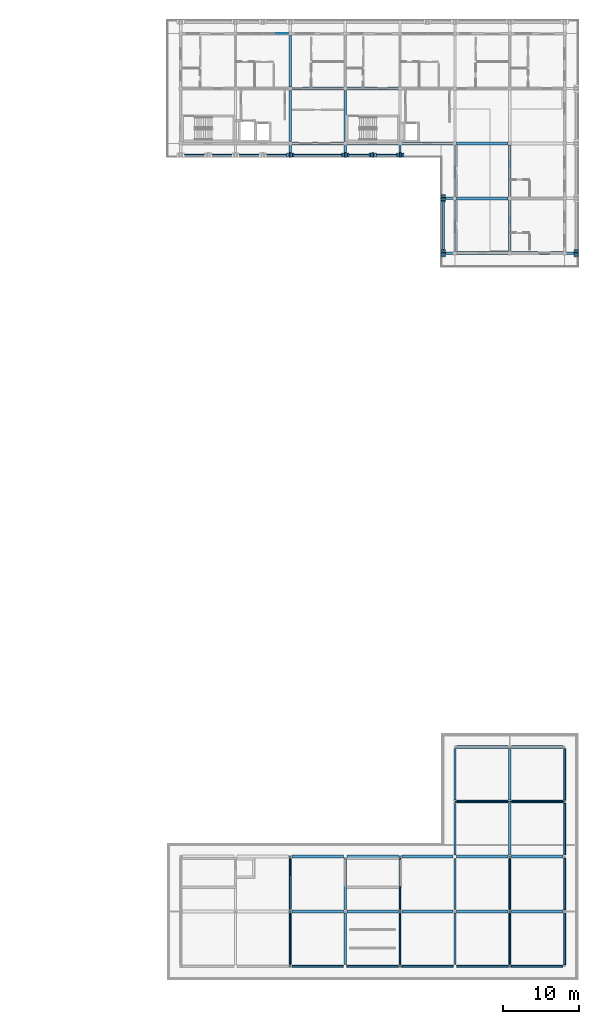
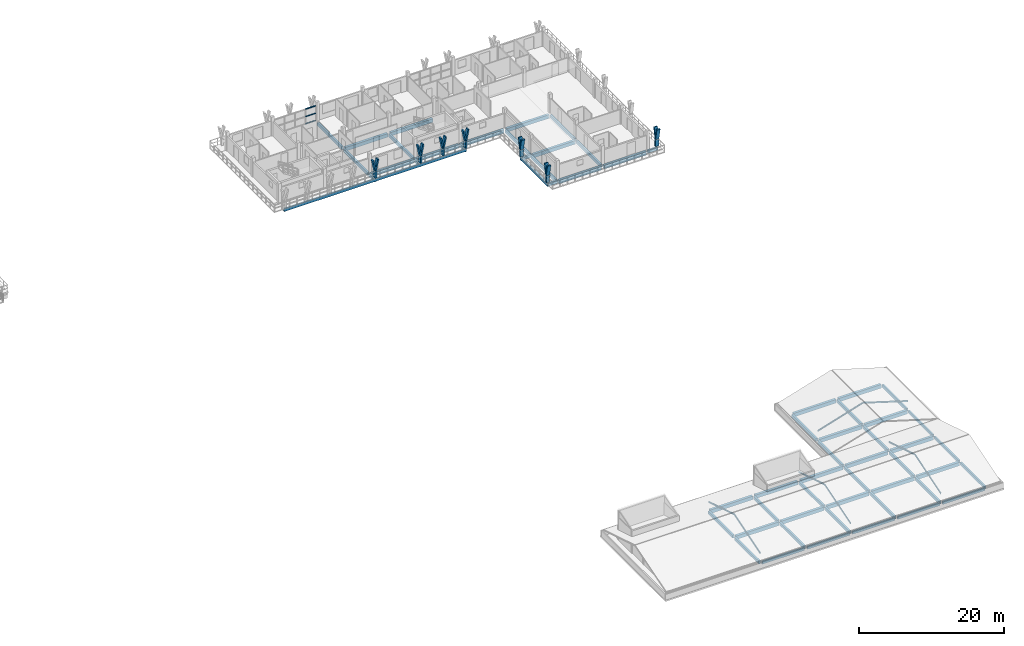
# One storey, part 18 of 45: 69 beams, 24 members, 1 element without a shape of its own.
"""IFC4 building model written with IfcOpenShell, lengths in metres."""

from ifc_helpers import new_model, si_unit, direction, frame, origin, origin_2d, place, context, subcontext, project, spatial, rectangle, hollow_rectangle, i_section, extrude, material, material_profile, profile_set, type_object, element, aggregate, save


model = new_model("IFC4")

# Units and contexts
model_context = context("Model", 3, precision=1e-05, world=origin(), true_north=direction((0.0, 1.0)))
body_context = subcontext(model_context, "Body", "Model", "MODEL_VIEW")
ifc_project = project(units=[si_unit("LENGTHUNIT", "METRE"), si_unit("AREAUNIT", "SQUARE_METRE"), si_unit("VOLUMEUNIT", "CUBIC_METRE"), si_unit("PLANEANGLEUNIT", "RADIAN"), si_unit("MASSUNIT", "GRAM", prefix="KILO")], contexts=[model_context])

# Site, building, storey
site_placement = place(None, origin())
site = spatial("IfcSite", under=ifc_project, at=site_placement, CompositionType="ELEMENT")
building_placement = place(site_placement, origin())
building = spatial("IfcBuilding", under=site, at=building_placement, Name="Suanplinth Sawtooth Commons", CompositionType="ELEMENT")
storey_placement = place(building_placement, frame((0.0, 0.0, 38.0)))
storey = spatial("IfcBuildingStorey", under=building, at=storey_placement, Name="L11", CompositionType="ELEMENT", Elevation=38.0)

# Beams
ifc_material_1 = material(Name="Precast concrete C40/50", Category="concrete")
ifc_material_profile_1 = material_profile(ifc_material_1, rectangle(XDim=0.39990234375, YDim=0.60009765625, at=origin_2d()), Name="PC-GDR 400x600")
ifc_profile_set_1 = profile_set([ifc_material_profile_1], Name="Precast concrete C40/50")
beam_type_1 = type_object("IfcBeamType", Name="B-05", PredefinedType="USERDEFINED", material=ifc_profile_set_1)
for number, where, z_axis, x_axis, name in (
    (1, (151.425048828125, 108.0, -0.5400390625), (1.0, 0.0, 0.0), (0.0, 1.0, 0.0), "BMX-L11-B-21-15"),
    (2, (151.425048828125, 115.199951171875, -0.5400390625), (1.0, 0.0, 0.0), (0.0, 1.0, 0.0), "BMX-L11-B-21-16"),
    (3, (158.625, 108.0, -0.5400390625), (1.0, 0.0, 0.0), (0.0, 1.0, 0.0), "BMX-L11-B-22-15"),
    (4, (158.625, 115.199951171875, -0.5400390625), (1.0, 0.0, 0.0), (0.0, 1.0, 0.0), "BMX-L11-B-22-16"),
    (5, (165.824951171875, 108.0, -0.5400390625), (1.0, 0.0, 0.0), (0.0, 1.0, 0.0), "BMX-L11-B-23-15"),
    (6, (173.02490234375, 93.60009765625, -0.5400390625), (1.0, 0.0, 0.0), (0.0, 1.0, 0.0), "BMX-L11-B-24-13"),
    (7, (173.02490234375, 100.800048828125, -0.5400390625), (1.0, 0.0, 0.0), (0.0, 1.0, 0.0), "BMX-L11-B-24-14"),
    (8, (173.02490234375, 108.0, -0.5400390625), (1.0, 0.0, 0.0), (0.0, 1.0, 0.0), "BMX-L11-B-24-15"),
    (9, (180.22509765625, 93.60009765625, -0.5400390625), (1.0, 0.0, 0.0), (0.0, 1.0, 0.0), "BMX-L11-B-25-13"),
    (10, (151.425048828125, 7.199951171875, -0.5400390625), (1.0, 0.0, 0.0), (0.0, 1.0, 0.0), "BMX-L11-C-21-1"),
    (11, (151.425048828125, 14.39990234375, -0.5400390625), (1.0, 0.0, 0.0), (0.0, 1.0, 0.0), "BMX-L11-C-21-2"),
    (12, (158.625, 7.199951171875, -0.5400390625), (1.0, 0.0, 0.0), (0.0, 1.0, 0.0), "BMX-L11-C-22-1"),
    (13, (158.625, 14.39990234375, -0.5400390625), (1.0, 0.0, 0.0), (0.0, 1.0, 0.0), "BMX-L11-C-22-2"),
    (14, (165.824951171875, 7.199951171875, -0.5400390625), (1.0, 0.0, 0.0), (0.0, 1.0, 0.0), "BMX-L11-C-23-1"),
    (15, (165.824951171875, 14.39990234375, -0.5400390625), (1.0, 0.0, 0.0), (0.0, 1.0, 0.0), "BMX-L11-C-23-2"),
    (16, (173.02490234375, 7.199951171875, -0.5400390625), (1.0, 0.0, 0.0), (0.0, 1.0, 0.0), "BMX-L11-C-24-1"),
    (17, (173.02490234375, 14.39990234375, -0.5400390625), (1.0, 0.0, 0.0), (0.0, 1.0, 0.0), "BMX-L11-C-24-2"),
    (18, (173.02490234375, 21.60009765625, -0.5400390625), (1.0, 0.0, 0.0), (0.0, 1.0, 0.0), "BMX-L11-C-24-3"),
    (19, (173.02490234375, 28.800048828125, -0.5400390625), (1.0, 0.0, 0.0), (0.0, 1.0, 0.0), "BMX-L11-C-24-4"),
    (20, (180.22509765625, 7.199951171875, -0.5400390625), (1.0, 0.0, 0.0), (0.0, 1.0, 0.0), "BMX-L11-C-25-1"),
    (21, (180.22509765625, 14.39990234375, -0.5400390625), (1.0, 0.0, 0.0), (0.0, 1.0, 0.0), "BMX-L11-C-25-2"),
    (22, (180.22509765625, 21.60009765625, -0.5400390625), (1.0, 0.0, 0.0), (0.0, 1.0, 0.0), "BMX-L11-C-25-3"),
    (23, (180.22509765625, 28.800048828125, -0.5400390625), (1.0, 0.0, 0.0), (0.0, 1.0, 0.0), "BMX-L11-C-25-4"),
):
    element("IfcBeam", number, at=place(storey_placement, frame(where, z_axis=z_axis, x_axis=x_axis)), inside=storey, type_object=beam_type_1, Name=name, ObjectType="GIRDER", PredefinedType="USERDEFINED", context=body_context, shape_type="SweptSolid", body=[
        extrude(rectangle(XDim=0.39990234375, YDim=0.60009765625, at=origin_2d()), origin(), (0.0, 0.0, 1.0), 6.75),
    ])
ifc_material_profile_2 = material_profile(ifc_material_1, rectangle(XDim=0.300048828125, YDim=0.5, at=origin_2d()), Name="PC-BM 300x500")
ifc_profile_set_2 = profile_set([ifc_material_profile_2], Name="Precast concrete C40/50")
beam_type_2 = type_object("IfcBeamType", Name="B-07", PredefinedType="BEAM", material=ifc_profile_set_2)
for number, where, z_axis, x_axis, name in (
    (24, (151.199951171875, 108.22509765625, -0.489990234375), (0.0, 1.0, 0.0), (-1.0, 0.0, 0.0), "BMY-L11-B-21-15"),
    (25, (151.199951171875, 115.425048828125, -0.489990234375), (0.0, 1.0, 0.0), (-1.0, 0.0, 0.0), "BMY-L11-B-21-16"),
    (26, (158.39990234375, 108.22509765625, -0.489990234375), (0.0, 1.0, 0.0), (-1.0, 0.0, 0.0), "BMY-L11-B-22-15"),
    (27, (172.800048828125, 93.824951171875, -0.489990234375), (0.0, 1.0, 0.0), (-1.0, 0.0, 0.0), "BMY-L11-B-24-13"),
    (28, (172.800048828125, 101.02490234375, -0.489990234375), (0.0, 1.0, 0.0), (-1.0, 0.0, 0.0), "BMY-L11-B-24-14"),
    (29, (180.0, 93.824951171875, -0.489990234375), (0.0, 1.0, 0.0), (-1.0, 0.0, 0.0), "BMY-L11-B-25-13"),
    (30, (180.0, 101.02490234375, -0.489990234375), (0.0, 1.0, 0.0), (-1.0, 0.0, 0.0), "BMY-L11-B-25-14"),
    (31, (151.199951171875, 0.22509765625, -0.489990234375), (0.0, 1.0, 0.0), (-1.0, 0.0, 0.0), "BMY-L11-C-21-0"),
    (32, (151.199951171875, 7.425048828125, -0.489990234375), (0.0, 1.0, 0.0), (-1.0, 0.0, 0.0), "BMY-L11-C-21-1"),
    (33, (158.39990234375, 0.22509765625, -0.489990234375), (0.0, 1.0, 0.0), (-1.0, 0.0, 0.0), "BMY-L11-C-22-0"),
    (34, (158.39990234375, 7.425048828125, -0.489990234375), (0.0, 1.0, 0.0), (-1.0, 0.0, 0.0), "BMY-L11-C-22-1"),
    (35, (165.60009765625, 0.22509765625, -0.489990234375), (0.0, 1.0, 0.0), (-1.0, 0.0, 0.0), "BMY-L11-C-23-0"),
    (36, (165.60009765625, 7.425048828125, -0.489990234375), (0.0, 1.0, 0.0), (-1.0, 0.0, 0.0), "BMY-L11-C-23-1"),
    (37, (172.800048828125, 0.22509765625, -0.489990234375), (0.0, 1.0, 0.0), (-1.0, 0.0, 0.0), "BMY-L11-C-24-0"),
    (38, (172.800048828125, 7.425048828125, -0.489990234375), (0.0, 1.0, 0.0), (-1.0, 0.0, 0.0), "BMY-L11-C-24-1"),
    (39, (172.800048828125, 14.625, -0.489990234375), (0.0, 1.0, 0.0), (-1.0, 0.0, 0.0), "BMY-L11-C-24-2"),
    (40, (172.800048828125, 21.824951171875, -0.489990234375), (0.0, 1.0, 0.0), (-1.0, 0.0, 0.0), "BMY-L11-C-24-3"),
    (41, (180.0, 0.22509765625, -0.489990234375), (0.0, 1.0, 0.0), (-1.0, 0.0, 0.0), "BMY-L11-C-25-0"),
    (42, (180.0, 7.425048828125, -0.489990234375), (0.0, 1.0, 0.0), (-1.0, 0.0, 0.0), "BMY-L11-C-25-1"),
    (43, (180.0, 14.625, -0.489990234375), (0.0, 1.0, 0.0), (-1.0, 0.0, 0.0), "BMY-L11-C-25-2"),
    (44, (180.0, 21.824951171875, -0.489990234375), (0.0, 1.0, 0.0), (-1.0, 0.0, 0.0), "BMY-L11-C-25-3"),
):
    element("IfcBeam", number, at=place(storey_placement, frame(where, z_axis=z_axis, x_axis=x_axis)), inside=storey, type_object=beam_type_2, Name=name, PredefinedType="BEAM", context=body_context, shape_type="SweptSolid", body=[
        extrude(rectangle(XDim=0.300048828125, YDim=0.5, at=origin_2d()), origin(), (0.0, 0.0, 1.0), 6.75),
    ])
beam_1_placement = place(storey_placement, frame((187.199951171875, 93.60009765625, -0.429931640625), z_axis=(1.0, 0.0, 0.0), x_axis=(0.0, 1.0, 0.0)))
element("IfcBeam", 45, at=beam_1_placement, inside=storey, type_object=beam_type_2, Name="Balcony Outrigger L11-B-E-13", PredefinedType="BEAM", context=body_context, shape_type="SweptSolid", body=[
    extrude(rectangle(XDim=0.300048828125, YDim=0.5, at=origin_2d()), origin(), (0.0, 0.0, 1.0), 1.64013671875),
])
for number, where, z_axis, x_axis, name in (
    (46, (151.199951171875, 108.0, -0.425048828125), (0.0, -1.0, 0.0), (1.0, 0.0, 0.0), "Balcony Outrigger L11-B-SC-21"),
    (47, (158.39990234375, 108.0, -0.425048828125), (0.0, -1.0, 0.0), (1.0, 0.0, 0.0), "Balcony Outrigger L11-B-SC-22"),
    (48, (165.60009765625, 108.0, -0.425048828125), (0.0, -1.0, 0.0), (1.0, 0.0, 0.0), "Balcony Outrigger L11-B-SC-23"),
):
    element("IfcBeam", number, at=place(storey_placement, frame(where, z_axis=z_axis, x_axis=x_axis)), inside=storey, type_object=beam_type_2, Name=name, PredefinedType="BEAM", context=body_context, shape_type="SweptSolid", body=[
        extrude(rectangle(XDim=0.300048828125, YDim=0.5, at=origin_2d()), origin(), (0.0, 0.0, 1.0), 1.639892578125),
    ])
for number, where, z_axis, x_axis, name in (
    (49, (172.800048828125, 93.60009765625, -0.425048828125), (-1.0, 0.0, 0.0), (0.0, -1.0, 0.0), "Balcony Outrigger L11-B-WC-13"),
    (50, (172.800048828125, 100.800048828125, -0.425048828125), (-1.0, 0.0, 0.0), (0.0, -1.0, 0.0), "Balcony Outrigger L11-B-WC-14"),
):
    element("IfcBeam", number, at=place(storey_placement, frame(where, z_axis=z_axis, x_axis=x_axis)), inside=storey, type_object=beam_type_2, Name=name, PredefinedType="BEAM", context=body_context, shape_type="SweptSolid", body=[
        extrude(rectangle(XDim=0.300048828125, YDim=0.5, at=origin_2d()), origin(), (0.0, 0.0, 1.0), 1.64013671875),
    ])
ifc_material_profile_3 = material_profile(ifc_material_1, rectangle(XDim=0.25, YDim=0.449951171875, at=origin_2d()), Name="PC-SP 250x450")
ifc_profile_set_3 = profile_set([ifc_material_profile_3], Name="Precast concrete C40/50")
beam_type_3 = type_object("IfcBeamType", Name="B-09", PredefinedType="SPANDREL", material=ifc_profile_set_3)
for number, where, z_axis, x_axis, name in (
    (51, (151.425048828125, 0.0, -0.465087890625), (1.0, 0.0, 0.0), (0.0, 1.0, 0.0), "BMX-L11-C-21-0"),
    (52, (158.625, 0.0, -0.465087890625), (1.0, 0.0, 0.0), (0.0, 1.0, 0.0), "BMX-L11-C-22-0"),
    (53, (165.824951171875, 0.0, -0.465087890625), (1.0, 0.0, 0.0), (0.0, 1.0, 0.0), "BMX-L11-C-23-0"),
    (54, (173.02490234375, 0.0, -0.465087890625), (1.0, 0.0, 0.0), (0.0, 1.0, 0.0), "BMX-L11-C-24-0"),
    (55, (180.22509765625, 0.0, -0.465087890625), (1.0, 0.0, 0.0), (0.0, 1.0, 0.0), "BMX-L11-C-25-0"),
    (56, (187.199951171875, 0.22509765625, -0.465087890625), (0.0, 1.0, 0.0), (-1.0, 0.0, 0.0), "BMY-L11-C-26-0"),
    (57, (187.199951171875, 7.425048828125, -0.465087890625), (0.0, 1.0, 0.0), (-1.0, 0.0, 0.0), "BMY-L11-C-26-1"),
    (58, (187.199951171875, 14.625, -0.465087890625), (0.0, 1.0, 0.0), (-1.0, 0.0, 0.0), "BMY-L11-C-26-2"),
    (59, (187.199951171875, 21.824951171875, -0.465087890625), (0.0, 1.0, 0.0), (-1.0, 0.0, 0.0), "BMY-L11-C-26-3"),
):
    element("IfcBeam", number, at=place(storey_placement, frame(where, z_axis=z_axis, x_axis=x_axis)), inside=storey, type_object=beam_type_3, Name=name, PredefinedType="SPANDREL", context=body_context, shape_type="SweptSolid", body=[
        extrude(rectangle(XDim=0.25, YDim=0.449951171875, at=origin_2d()), origin(), (0.0, 0.0, 1.0), 6.75),
    ])
beam_2_placement = place(storey_placement, frame((136.64990234375, 106.47998046875, -0.39990234375), z_axis=(1.0, 0.0, 0.0), x_axis=(0.0, 1.0, 0.0)))
element("IfcBeam", 60, at=beam_2_placement, inside=storey, type_object=beam_type_3, Name="Balcony Edge Fascia L11-B-SC", PredefinedType="SPANDREL", context=body_context, shape_type="SweptSolid", body=[
    extrude(rectangle(XDim=0.25, YDim=0.449951171875, at=origin_2d()), origin(), (0.0, 0.0, 1.0), 29.10009765625),
])
beam_3_placement = place(storey_placement, frame((171.280029296875, 93.449951171875, -0.39990234375), z_axis=(0.0, 1.0, 0.0), x_axis=(-1.0, 0.0, 0.0)))
element("IfcBeam", 61, at=beam_3_placement, inside=storey, type_object=beam_type_3, Name="Balcony Edge Fascia L11-B-WC", PredefinedType="SPANDREL", context=body_context, shape_type="SweptSolid", body=[
    extrude(rectangle(XDim=0.25, YDim=0.449951171875, at=origin_2d()), origin(), (0.0, 0.0, 1.0), 7.5),
])
ifc_material_2 = material(Name="Steel SS400", Category="steel")
ifc_material_profile_4 = material_profile(ifc_material_2, i_section(OverallWidth=0.1201171875, OverallDepth=0.239990234375, WebThickness=0.006103515625, FlangeThickness=0.009765625, at=origin_2d()), Name="IPE 240")
ifc_profile_set_4 = profile_set([ifc_material_profile_4], Name="Steel SS400")
beam_type_4 = type_object("IfcBeamType", Name="B-14", PredefinedType="BEAM", material=ifc_profile_set_4)
for number, where, z_axis, x_axis, name in (
    (62, (151.199951171875, 0.0, 1.14990234375), (0.0, 0.955232505133, 0.295856149398), (-1.0, 0.0, 0.0), "Crown Rafter S C 22"),
    (63, (151.199951171875, 14.39990234375, 1.14990234375), (0.0, -0.955232505133, 0.295856149398), (1.0, 0.0, 0.0), "Crown Rafter N C 22"),
    (64, (165.60009765625, 0.0, 1.14990234375), (0.0, 0.955232505133, 0.295856149398), (-1.0, 0.0, 0.0), "Crown Rafter S C 24"),
    (65, (165.60009765625, 14.39990234375, 1.14990234375), (0.0, -0.955232505133, 0.295856149398), (1.0, 0.0, 0.0), "Crown Rafter N C 24"),
    (66, (180.0, 0.0, 1.14990234375), (0.0, 0.955232505133, 0.295856149398), (-1.0, 0.0, 0.0), "Crown Rafter S C 26"),
    (67, (180.0, 14.39990234375, 1.14990234375), (0.0, -0.955232505133, 0.295856149398), (1.0, 0.0, 0.0), "Crown Rafter N C 26"),
    (68, (172.800048828125, 21.60009765625, 1.14990234375), (0.955232505133, 0.0, 0.295856149398), (0.0, 1.0, 0.0), "Return Crown Rafter W C"),
    (69, (187.199951171875, 21.60009765625, 1.14990234375), (-0.955232505133, 0.0, 0.295856149398), (0.0, -1.0, 0.0), "Return Crown Rafter E C"),
):
    element("IfcBeam", number, at=place(storey_placement, frame(where, z_axis=z_axis, x_axis=x_axis)), inside=storey, type_object=beam_type_4, Name=name, PredefinedType="BEAM", context=body_context, shape_type="SweptSolid", body=[
        extrude(i_section(OverallWidth=0.1201171875, OverallDepth=0.239990234375, WebThickness=0.006103515625, FlangeThickness=0.009765625, at=origin_2d()), origin(), (0.0, 0.0, 1.0), 7.537353515625),
    ])

# Members
ifc_material_3 = material(Name="Pigmented precast concrete C40/50", Category="concrete")
ifc_material_profile_5 = material_profile(ifc_material_3, rectangle(XDim=0.260009765625, YDim=0.550048828125, at=origin_2d()), Name="PC-FIN 260x550")
ifc_profile_set_5 = profile_set([ifc_material_profile_5], Name="Pigmented precast concrete C40/50")
member_type_1 = type_object("IfcMemberType", Name="M-09", PredefinedType="USERDEFINED", material=ifc_profile_set_5)
for number, where, z_axis, x_axis, name in (
    (70, (188.719970703125, 93.60009765625, 0.0), (0.0, 0.0, 1.0), (0.0, 1.0, 0.0), "Y-Blade Stem L11-B-E-09"),
    (71, (151.199951171875, 106.47998046875, 0.0), (0.0, 0.0, 1.0), (1.0, 0.0, 0.0), "Y-Blade Stem L11-B-SC-17"),
    (72, (158.39990234375, 106.47998046875, 0.0), (0.0, 0.0, 1.0), (1.0, 0.0, 0.0), "Y-Blade Stem L11-B-SC-18"),
    (73, (162.0, 106.47998046875, 0.0), (0.0, 0.0, 1.0), (1.0, 0.0, 0.0), "Y-Blade Stem L11-B-SC-19"),
    (74, (165.60009765625, 106.47998046875, 0.0), (0.0, 0.0, 1.0), (1.0, 0.0, 0.0), "Y-Blade Stem L11-B-SC-20"),
    (75, (171.280029296875, 93.60009765625, 0.0), (0.0, 0.0, 1.0), (0.0, 1.0, 0.0), "Y-Blade Stem L11-B-WC-21"),
    (76, (171.280029296875, 100.800048828125, 0.0), (0.0, 0.0, 1.0), (0.0, 1.0, 0.0), "Y-Blade Stem L11-B-WC-22"),
):
    element("IfcMember", number, at=place(storey_placement, frame(where, z_axis=z_axis, x_axis=x_axis)), inside=storey, type_object=member_type_1, Name=name, ObjectType="SHADING FIN", PredefinedType="USERDEFINED", context=body_context, shape_type="SweptSolid", body=[
        extrude(rectangle(XDim=0.260009765625, YDim=0.550048828125, at=origin_2d()), origin(), (0.0, 0.0, 1.0), 1.169921875),
    ])
ifc_material_profile_6 = material_profile(ifc_material_3, rectangle(XDim=0.219970703125, YDim=0.550048828125, at=origin_2d()), Name="PC-FIN 220x550")
ifc_profile_set_6 = profile_set([ifc_material_profile_6], Name="Pigmented precast concrete C40/50")
member_type_2 = type_object("IfcMemberType", Name="M-10", PredefinedType="USERDEFINED", material=ifc_profile_set_6)
member_1_placement = place(storey_placement, frame((188.719970703125, 93.60009765625, 1.1298828125), z_axis=(0.0, -0.196406855569, 0.980522486782), x_axis=(0.0, 0.980522486782, 0.196406855569)))
element("IfcMember", 77, at=member_1_placement, inside=storey, type_object=member_type_2, Name="Y-Blade Arm L L11-B-E-09", ObjectType="SHADING FIN", PredefinedType="USERDEFINED", context=body_context, shape_type="SweptSolid", body=[
    extrude(rectangle(XDim=0.219970703125, YDim=0.550048828125, at=origin_2d()), origin(), (0.0, 0.0, 1.0), 1.93798828125),
])
for number, where, z_axis, x_axis, name in (
    (78, (188.719970703125, 93.60009765625, 1.1298828125), (0.0, 0.196285728346, 0.980546741796), (0.0, -0.980546741796, 0.196285728346), "Y-Blade Arm R L11-B-E-09"),
    (79, (151.199951171875, 106.47998046875, 1.1298828125), (-0.196285728346, 0.0, 0.980546741796), (0.980546741796, 0.0, 0.196285728346), "Y-Blade Arm L L11-B-SC-17"),
):
    element("IfcMember", number, at=place(storey_placement, frame(where, z_axis=z_axis, x_axis=x_axis)), inside=storey, type_object=member_type_2, Name=name, ObjectType="SHADING FIN", PredefinedType="USERDEFINED", context=body_context, shape_type="SweptSolid", body=[
        extrude(rectangle(XDim=0.219970703125, YDim=0.550048828125, at=origin_2d()), origin(), (0.0, 0.0, 1.0), 1.937744140625),
    ])
member_2_placement = place(storey_placement, frame((151.199951171875, 106.47998046875, 1.1298828125), z_axis=(0.196406855569, 0.0, 0.980522486782), x_axis=(-0.980522486782, 0.0, 0.196406855569)))
element("IfcMember", 80, at=member_2_placement, inside=storey, type_object=member_type_2, Name="Y-Blade Arm R L11-B-SC-17", ObjectType="SHADING FIN", PredefinedType="USERDEFINED", context=body_context, shape_type="SweptSolid", body=[
    extrude(rectangle(XDim=0.219970703125, YDim=0.550048828125, at=origin_2d()), origin(), (0.0, 0.0, 1.0), 1.93798828125),
])
member_3_placement = place(storey_placement, frame((158.39990234375, 106.47998046875, 1.1298828125), z_axis=(-0.196285728346, 0.0, 0.980546741796), x_axis=(0.980546741796, 0.0, 0.196285728346)))
element("IfcMember", 81, at=member_3_placement, inside=storey, type_object=member_type_2, Name="Y-Blade Arm L L11-B-SC-18", ObjectType="SHADING FIN", PredefinedType="USERDEFINED", context=body_context, shape_type="SweptSolid", body=[
    extrude(rectangle(XDim=0.219970703125, YDim=0.550048828125, at=origin_2d()), origin(), (0.0, 0.0, 1.0), 1.937744140625),
])
for number, where, z_axis, x_axis, name in (
    (82, (158.39990234375, 106.47998046875, 1.1298828125), (0.196406855569, 0.0, 0.980522486782), (-0.980522486782, 0.0, 0.196406855569), "Y-Blade Arm R L11-B-SC-18"),
    (83, (162.0, 106.47998046875, 1.1298828125), (-0.196406855569, 0.0, 0.980522486782), (0.980522486782, 0.0, 0.196406855569), "Y-Blade Arm L L11-B-SC-19"),
    (84, (162.0, 106.47998046875, 1.1298828125), (0.196406855569, 0.0, 0.980522486782), (-0.980522486782, 0.0, 0.196406855569), "Y-Blade Arm R L11-B-SC-19"),
    (85, (165.60009765625, 106.47998046875, 1.1298828125), (-0.196406855569, 0.0, 0.980522486782), (0.980522486782, 0.0, 0.196406855569), "Y-Blade Arm L L11-B-SC-20"),
):
    element("IfcMember", number, at=place(storey_placement, frame(where, z_axis=z_axis, x_axis=x_axis)), inside=storey, type_object=member_type_2, Name=name, ObjectType="SHADING FIN", PredefinedType="USERDEFINED", context=body_context, shape_type="SweptSolid", body=[
        extrude(rectangle(XDim=0.219970703125, YDim=0.550048828125, at=origin_2d()), origin(), (0.0, 0.0, 1.0), 1.93798828125),
    ])
member_4_placement = place(storey_placement, frame((165.60009765625, 106.47998046875, 1.1298828125), z_axis=(0.196285728346, 0.0, 0.980546741796), x_axis=(-0.980546741796, 0.0, 0.196285728346)))
element("IfcMember", 86, at=member_4_placement, inside=storey, type_object=member_type_2, Name="Y-Blade Arm R L11-B-SC-20", ObjectType="SHADING FIN", PredefinedType="USERDEFINED", context=body_context, shape_type="SweptSolid", body=[
    extrude(rectangle(XDim=0.219970703125, YDim=0.550048828125, at=origin_2d()), origin(), (0.0, 0.0, 1.0), 1.937744140625),
])
member_5_placement = place(storey_placement, frame((171.280029296875, 93.60009765625, 1.1298828125), z_axis=(0.0, -0.196406855569, 0.980522486782), x_axis=(0.0, 0.980522486782, 0.196406855569)))
element("IfcMember", 87, at=member_5_placement, inside=storey, type_object=member_type_2, Name="Y-Blade Arm L L11-B-WC-21", ObjectType="SHADING FIN", PredefinedType="USERDEFINED", context=body_context, shape_type="SweptSolid", body=[
    extrude(rectangle(XDim=0.219970703125, YDim=0.550048828125, at=origin_2d()), origin(), (0.0, 0.0, 1.0), 1.93798828125),
])
member_6_placement = place(storey_placement, frame((171.280029296875, 93.60009765625, 1.1298828125), z_axis=(0.0, 0.196285728346, 0.980546741796), x_axis=(0.0, -0.980546741796, 0.196285728346)))
element("IfcMember", 88, at=member_6_placement, inside=storey, type_object=member_type_2, Name="Y-Blade Arm R L11-B-WC-21", ObjectType="SHADING FIN", PredefinedType="USERDEFINED", context=body_context, shape_type="SweptSolid", body=[
    extrude(rectangle(XDim=0.219970703125, YDim=0.550048828125, at=origin_2d()), origin(), (0.0, 0.0, 1.0), 1.937744140625),
])
member_7_placement = place(storey_placement, frame((171.280029296875, 100.800048828125, 1.1298828125), z_axis=(0.0, -0.196406855569, 0.980522486782), x_axis=(0.0, 0.980522486782, 0.196406855569)))
element("IfcMember", 89, at=member_7_placement, inside=storey, type_object=member_type_2, Name="Y-Blade Arm L L11-B-WC-22", ObjectType="SHADING FIN", PredefinedType="USERDEFINED", context=body_context, shape_type="SweptSolid", body=[
    extrude(rectangle(XDim=0.219970703125, YDim=0.550048828125, at=origin_2d()), origin(), (0.0, 0.0, 1.0), 1.93798828125),
])
member_8_placement = place(storey_placement, frame((171.280029296875, 100.800048828125, 1.1298828125), z_axis=(0.0, 0.196285728346, 0.980546741796), x_axis=(0.0, -0.980546741796, 0.196285728346)))
element("IfcMember", 90, at=member_8_placement, inside=storey, type_object=member_type_2, Name="Y-Blade Arm R L11-B-WC-22", ObjectType="SHADING FIN", PredefinedType="USERDEFINED", context=body_context, shape_type="SweptSolid", body=[
    extrude(rectangle(XDim=0.219970703125, YDim=0.550048828125, at=origin_2d()), origin(), (0.0, 0.0, 1.0), 1.937744140625),
])

# Curtain wall, members
ifc_material_4 = material(Name="Anodized aluminium and low-E glazing", Category="aluminium")
curtain_wall_type = type_object("IfcCurtainWallType", Name="CW-06", PredefinedType="USERDEFINED", material=ifc_material_4)
curtain_wall_placement = place(storey_placement, origin())
curtain_wall = element("IfcCurtainWall", 91, at=curtain_wall_placement, inside=storey, type_object=curtain_wall_type, Name="Curtain Wall CW-L11-B-LOUNGE-20", ObjectType="CURTAIN WALL", PredefinedType="USERDEFINED")
ifc_material_5 = material(Name="Anodized aluminium 6063-T6", Category="aluminium")
ifc_material_profile_7 = material_profile(ifc_material_5, hollow_rectangle(XDim=0.06494140625, YDim=0.1201171875, WallThickness=0.00390625, at=origin_2d()), Name="ALU-TRN 65x120")
ifc_profile_set_7 = profile_set([ifc_material_profile_7], Name="Anodized aluminium 6063-T6")
member_type_3 = type_object("IfcMemberType", Name="M-15", PredefinedType="USERDEFINED", material=ifc_profile_set_7)
member_9_placement = place(storey_placement, frame((149.320068359375, 122.39990234375, 0.032470703125), z_axis=(1.0, 0.0, 0.0), x_axis=(0.0, 1.0, 0.0)))
member_9 = element("IfcMember", 92, at=member_9_placement, type_object=member_type_3, Name="CW-06 transom 4.1", ObjectType="TRANSOM", PredefinedType="USERDEFINED", context=body_context, shape_type="SweptSolid", body=[
    extrude(hollow_rectangle(XDim=0.06494140625, YDim=0.1201171875, WallThickness=0.00390625, at=origin_2d()), origin(), (0.0, 0.0, 1.0), 1.58984375),
])
member_10_placement = place(storey_placement, frame((149.320068359375, 122.39990234375, 1.27001953125), z_axis=(1.0, 0.0, 0.0), x_axis=(0.0, 1.0, 0.0)))
member_10 = element("IfcMember", 93, at=member_10_placement, type_object=member_type_3, Name="CW-06 transom 4.2", ObjectType="TRANSOM", PredefinedType="USERDEFINED", context=body_context, shape_type="SweptSolid", body=[
    extrude(hollow_rectangle(XDim=0.06494140625, YDim=0.1201171875, WallThickness=0.00390625, at=origin_2d()), origin(), (0.0, 0.0, 1.0), 1.58984375),
])
member_11_placement = place(storey_placement, frame((149.320068359375, 122.39990234375, 2.507568359375), z_axis=(1.0, 0.0, 0.0), x_axis=(0.0, 1.0, 0.0)))
member_11 = element("IfcMember", 94, at=member_11_placement, type_object=member_type_3, Name="CW-06 transom 4.3", ObjectType="TRANSOM", PredefinedType="USERDEFINED", context=body_context, shape_type="SweptSolid", body=[
    extrude(hollow_rectangle(XDim=0.06494140625, YDim=0.1201171875, WallThickness=0.00390625, at=origin_2d()), origin(), (0.0, 0.0, 1.0), 1.58984375),
])
aggregate(curtain_wall, [member_9, member_10, member_11])

save(model, "model.ifc")
